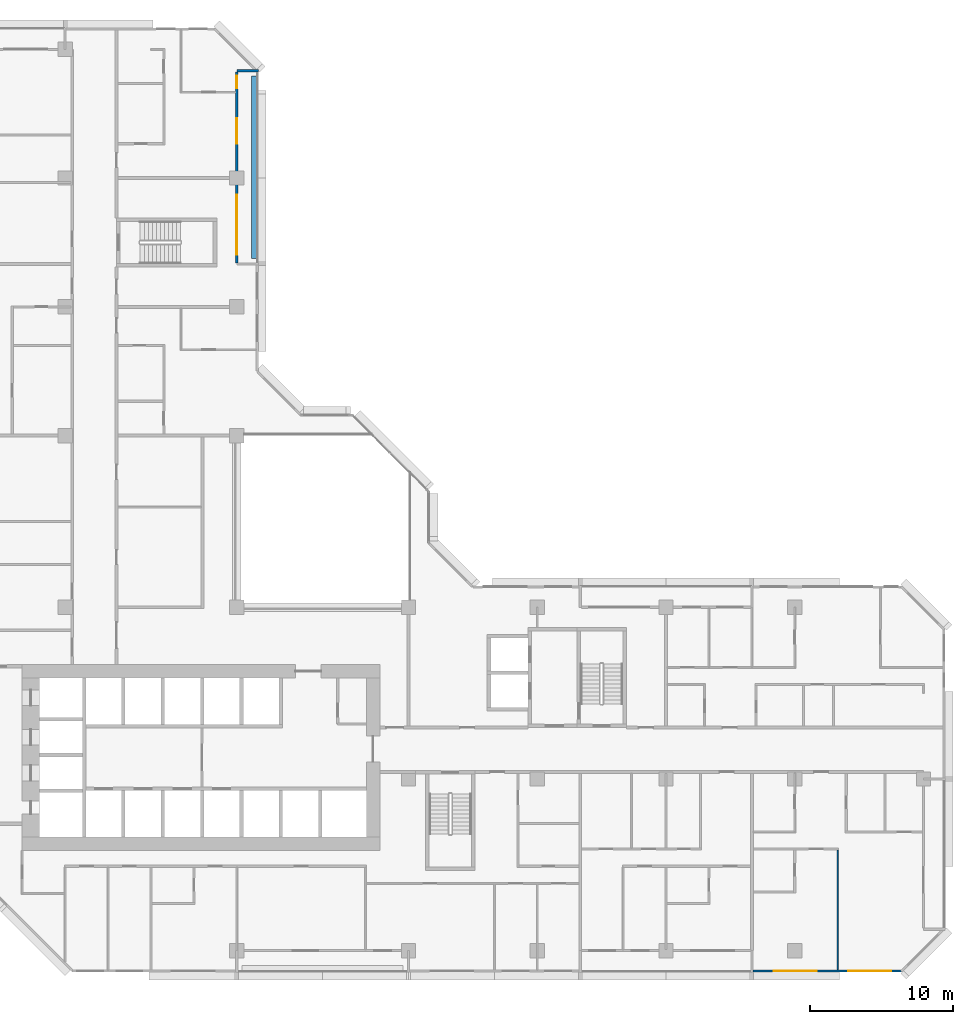
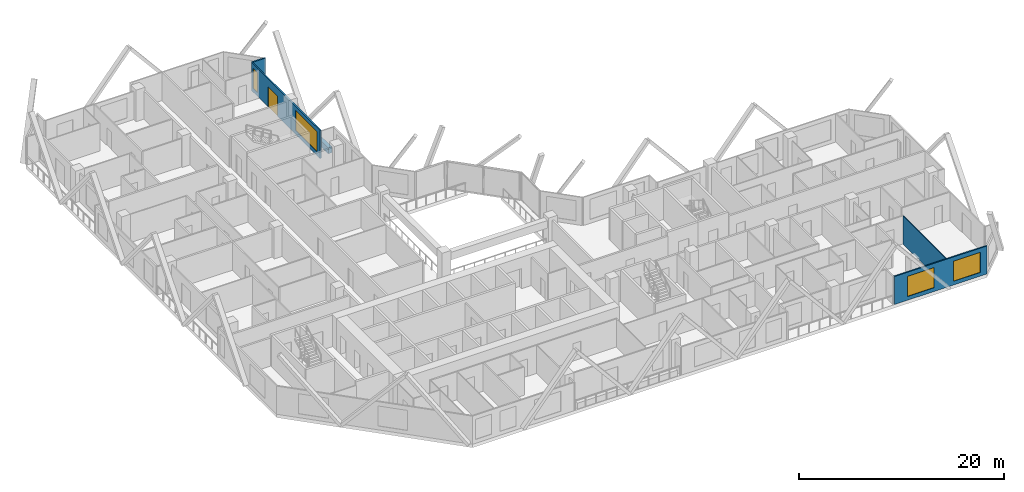
# One storey, part 11 of 15: 5 walls, 4 windows, 1 door, 5 openings.
"""IFC4 building model written with IfcOpenShell, lengths in metres."""

import ifcopenshell
import ifcopenshell.guid

model = None  # the IFC model being written
_history = None  # IfcOwnerHistory: only IFC2X3 demands one
_inside = {}  # id of a spatial element -> (the spatial element, [elements in it])
_under = {}  # id of a project, library or spatial element -> (it, [spatial elements below it])
_declared = {}  # id of a project -> (the project, [libraries it declares])
_typed = {}  # id of a type object -> (the type object, [elements of that type])
_made_of = {}  # id of a material, layer set ... -> (it, [elements and type objects made of it])


def new_model(schema):
    """Start an empty IFC model of exactly this schema.

    Asked for "IFC4X3", IfcOpenShell would pick the latest addendum, in which some entities
    have other attributes; the version numbers below select the first issue.
    IFC2X3 requires an IfcOwnerHistory on every rooted entity: one is made here for all.
    """
    global model, _history
    if schema == "IFC4X3":
        model = ifcopenshell.file(schema_version=(4, 3, 0, 0))
    else:
        model = ifcopenshell.file(schema=schema)
    _inside.clear()
    _under.clear()
    _declared.clear()
    _typed.clear()
    _made_of.clear()
    _history = None
    if model.schema == "IFC2X3":
        org = make("IfcOrganization", Name="unknown")
        user = make(
            "IfcPersonAndOrganization",
            ThePerson=make("IfcPerson", FamilyName="unknown"),
            TheOrganization=org,
        )
        app = make(
            "IfcApplication",
            ApplicationDeveloper=org,
            Version="unknown",
            ApplicationFullName="unknown",
            ApplicationIdentifier="unknown",
        )
        _history = make(
            "IfcOwnerHistory",
            OwningUser=user,
            OwningApplication=app,
            ChangeAction="ADDED",
            CreationDate=0,
        )
    return model


def make(cls, **values):
    """One entity of the class cls with the attributes given. An attribute that is None is left unset."""
    return model.create_entity(
        cls, **{name: value for name, value in values.items() if value is not None}
    )


def rooted(cls, **values):
    """An entity with a GlobalId (a new one), such as an element, a storey or a relation."""
    return make(cls, GlobalId=ifcopenshell.guid.new(), OwnerHistory=_history, **values)


def si_unit(unit_type, name, prefix=None):
    """IfcSIUnit, for example si_unit("LENGTHUNIT", "METRE", prefix="MILLI")."""
    return make("IfcSIUnit", UnitType=unit_type, Prefix=prefix, Name=name)


def assignment(units):
    """IfcUnitAssignment: the units of a project."""
    return None if units is None else make("IfcUnitAssignment", Units=units)


def point(xyz):
    """IfcCartesianPoint."""
    return None if xyz is None else make("IfcCartesianPoint", Coordinates=xyz)


def direction(xyz):
    """IfcDirection."""
    return None if xyz is None else make("IfcDirection", DirectionRatios=xyz)


def frame(location, z_axis=None, x_axis=None):
    """IfcAxis2Placement3D, a coordinate frame: its origin and axes. An axis left out is left unset."""
    return make(
        "IfcAxis2Placement3D",
        Location=point(location),
        Axis=direction(z_axis),
        RefDirection=direction(x_axis),
    )


def frame_2d(location, x_axis=None):
    """IfcAxis2Placement2D, a coordinate frame in the plane: its origin and x axis."""
    return make(
        "IfcAxis2Placement2D", Location=point(location), RefDirection=direction(x_axis)
    )


def origin():
    """The frame at (0, 0, 0) with its axes left unset."""
    return frame((0.0, 0.0, 0.0))


def place(relative_to, where):
    """IfcLocalPlacement: puts the frame where relative to a parent placement (None: the world)."""
    return make(
        "IfcLocalPlacement", PlacementRelTo=relative_to, RelativePlacement=where
    )


def context(
    kind, dimensions, precision=None, world=None, true_north=None, identifier=None
):
    """IfcGeometricRepresentationContext, for example the 3D "Model" context."""
    return make(
        "IfcGeometricRepresentationContext",
        ContextIdentifier=identifier,
        ContextType=kind,
        CoordinateSpaceDimension=dimensions,
        Precision=precision,
        WorldCoordinateSystem=world,
        TrueNorth=true_north,
    )


def subcontext(parent, identifier, kind, view, scale=None):
    """IfcGeometricRepresentationSubContext, for example "Body" below "Model"."""
    return make(
        "IfcGeometricRepresentationSubContext",
        ContextIdentifier=identifier,
        ContextType=kind,
        ParentContext=parent,
        TargetScale=scale,
        TargetView=view,
    )


def project(units=None, contexts=None):
    """IfcProject with its units and contexts."""
    return rooted(
        "IfcProject",
        Name="project",
        RepresentationContexts=contexts,
        UnitsInContext=assignment(units),
    )


def spatial(cls, under=None, at=None, **own):
    """A site, building, storey or space (cls), placed at a placement, below another one or the project."""
    s = rooted(cls, ObjectPlacement=at, **own)
    if under is not None:
        _under.setdefault(under.id(), (under, []))[1].append(s)
    return s


def profile(cls, at=None, kind="AREA", **sizes):
    """A parametric profile (cls). Its sizes go by their IFC names, for example OverallWidth=200.0."""
    return make(cls, ProfileType=kind, Position=at, **sizes)


def rectangle(**sizes):
    """IfcRectangleProfileDef."""
    return profile("IfcRectangleProfileDef", **sizes)


def extrude(swept, where, along, depth):
    """IfcExtrudedAreaSolid: the profile swept, set in the frame where, extruded along a direction by depth."""
    return make(
        "IfcExtrudedAreaSolid",
        SweptArea=swept,
        Position=where,
        ExtrudedDirection=direction(along),
        Depth=depth,
    )


def shape(context_of_items, identifier, shape_type, items):
    """IfcShapeRepresentation: the items that make up one representation, for example the "Body"."""
    return make(
        "IfcShapeRepresentation",
        ContextOfItems=context_of_items,
        RepresentationIdentifier=identifier,
        RepresentationType=shape_type,
        Items=items,
    )


def material(Name=None, Category=None):
    """IfcMaterial."""
    return make("IfcMaterial", Name=Name, Category=Category)


def layer(
    of_material, thickness, ventilated=None, Name=None, Category=None, Priority=None
):
    """IfcMaterialLayer: one layer of a wall or slab, of a material (None: an air gap)."""
    return make(
        "IfcMaterialLayer",
        Material=of_material,
        LayerThickness=thickness,
        IsVentilated=ventilated,
        Name=Name,
        Category=Category,
        Priority=Priority,
    )


def layer_set(layers, Name=None):
    """IfcMaterialLayerSet."""
    return make("IfcMaterialLayerSet", MaterialLayers=layers, LayerSetName=Name)


def made_of(thing, what):
    """Note that an element or type object is made of a material, layer set ...; save() writes the relation."""
    if what is not None:
        _made_of.setdefault(what.id(), (what, []))[1].append(thing)
    return thing


def type_object(cls, material=None, **own):
    """A type object (cls), such as IfcWallType, which elements share."""
    return made_of(rooted(cls, **own), material)


def element(
    cls,
    number,
    at=None,
    inside=None,
    cuts=None,
    type_object=None,
    material=None,
    context=None,
    identifier="Body",
    shape_type=None,
    held_by="IfcProductDefinitionShape",
    body=None,
    shapes=None,
    **own,
):
    """One element of the class cls, such as IfcWall. Its Tag is "e" and its number.

    at: its placement. inside: the storey or other place that contains it. cuts: it is an
    opening in that element (IfcRelVoidsElement). A single representation is given by context,
    identifier, shape_type and body (its items); several are given by shapes. held_by: the class
    of the entity that holds the representations. save() writes the other relations.
    """
    e = rooted(cls, Tag="e%d" % number, ObjectPlacement=at, **own)
    if body is not None:
        shapes = [shape(context, identifier, shape_type, body)]
    if shapes is not None:
        e.Representation = make(held_by, Representations=shapes)
    if inside is not None:
        _inside.setdefault(inside.id(), (inside, []))[1].append(e)
    if cuts is not None:
        rooted(
            "IfcRelVoidsElement", RelatingBuildingElement=cuts, RelatedOpeningElement=e
        )
    if type_object is not None:
        _typed.setdefault(type_object.id(), (type_object, []))[1].append(e)
    return made_of(e, material)


def fill(opening, filler):
    """IfcRelFillsElement: the door or window that sits in an opening."""
    return rooted(
        "IfcRelFillsElement",
        RelatingOpeningElement=opening,
        RelatedBuildingElement=filler,
    )


def aggregate(whole, parts):
    """IfcRelAggregates: a whole, such as a stair, and the parts it consists of."""
    return rooted("IfcRelAggregates", RelatingObject=whole, RelatedObjects=parts)


def save(model, path):
    """Write the relations noted so far, then the file.

    IfcRelAggregates (storeys below a building ...), IfcRelContainedInSpatialStructure (elements
    in a storey), IfcRelDefinesByType, IfcRelAssociatesMaterial and IfcRelDeclares: one each for
    every whole, place, type object, material and project.
    """
    for whole, parts in _under.values():
        aggregate(whole, parts)
    for where, things in _inside.values():
        rooted(
            "IfcRelContainedInSpatialStructure",
            RelatedElements=things,
            RelatingStructure=where,
        )
    for kind, things in _typed.values():
        rooted("IfcRelDefinesByType", RelatedObjects=things, RelatingType=kind)
    for what, things in _made_of.values():
        rooted("IfcRelAssociatesMaterial", RelatedObjects=things, RelatingMaterial=what)
    for by, libraries in _declared.values():
        rooted("IfcRelDeclares", RelatingContext=by, RelatedDefinitions=libraries)
    model.write(path)


model = new_model("IFC4")

# Units and contexts
model_context = context("Model", 3, precision=1e-05, world=origin(), true_north=direction((0.0, 1.0)))
body_context = subcontext(model_context, "Body", "Model", "MODEL_VIEW")
ifc_project = project(units=[si_unit("LENGTHUNIT", "METRE"), si_unit("AREAUNIT", "SQUARE_METRE"), si_unit("VOLUMEUNIT", "CUBIC_METRE"), si_unit("PLANEANGLEUNIT", "RADIAN"), si_unit("MASSUNIT", "GRAM", prefix="KILO")], contexts=[model_context])

# Site, building, storey
site_placement = place(None, origin())
site = spatial("IfcSite", under=ifc_project, at=site_placement, CompositionType="ELEMENT")
building_placement = place(site_placement, origin())
building = spatial("IfcBuilding", under=site, at=building_placement, Name="Chenar Terraces", CompositionType="ELEMENT")
storey_placement = place(building_placement, frame((0.0, 0.0, 106.89990234375)))
storey = spatial("IfcBuildingStorey", under=building, at=storey_placement, Name="L24", CompositionType="ELEMENT", Elevation=106.89990234375)

# Wall, openings, windows
ifc_material_1 = material(Name="Aluminium framed glazing", Category="aluminium")
ifc_layer_1 = layer(ifc_material_1, 0.14990234375)
ifc_layer_set_1 = layer_set([ifc_layer_1], Name="Aluminium framed glazing")
wall_type_1 = type_object("IfcWallType", Name="Glazed flush facade wall 150", PredefinedType="SOLIDWALL", material=ifc_layer_set_1)
wall_1_placement = place(storey_placement, frame((60.074951171875, -1.425048828125, 0.0), z_axis=(0.0, 0.0, 1.0), x_axis=(1.0, 0.0, 0.0)))
wall_1 = element("IfcWall", 1, at=wall_1_placement, inside=storey, type_object=wall_type_1, Name="Glazed flush facade wall", PredefinedType="SOLIDWALL", context=body_context, shape_type="SweptSolid", body=[
    extrude(rectangle(XDim=10.425048828125, YDim=0.14990234375, at=frame_2d((5.21240234375, 0.0))), origin(), (0.0, 0.0, 1.0), 3.35009765625),
])
opening_1_placement = place(wall_1_placement, frame((1.46240234375, 0.0, 0.449951171875)))
opening_1 = element("IfcOpeningElement", 2, at=opening_1_placement, cuts=wall_1, Name="Opening W300x240", PredefinedType="OPENING", context=body_context, shape_type="SweptSolid", body=[
    extrude(rectangle(XDim=3.0, YDim=2.39990234375, at=frame_2d((1.5, 1.199951171875))), frame((0.0, 0.0849609375, 0.0), z_axis=(0.0, -1.0, 0.0), x_axis=(1.0, 0.0, 0.0)), (0.0, 0.0, 1.0), 0.169921875),
])
opening_2_placement = place(wall_1_placement, frame((6.675048828125, 0.0, 0.449951171875)))
opening_2 = element("IfcOpeningElement", 3, at=opening_2_placement, cuts=wall_1, Name="Opening W300x240", PredefinedType="OPENING", context=body_context, shape_type="SweptSolid", body=[
    extrude(rectangle(XDim=3.0, YDim=2.39990234375, at=frame_2d((1.5, 1.199951171875))), frame((0.0, 0.0849609375, 0.0), z_axis=(0.0, -1.0, 0.0), x_axis=(1.0, 0.0, 0.0)), (0.0, 0.0, 1.0), 0.169921875),
])
ifc_material_2 = material(Name="Low emissivity double glazing, aluminium frame", Category="aluminium")
window_type_1 = type_object("IfcWindowType", Name="Fixed light 3000 x 2400", PartitioningType="SINGLE_PANEL", PredefinedType="WINDOW", material=ifc_material_2)
window_1_placement = place(opening_1_placement, origin())
window_1 = element("IfcWindow", 4, at=window_1_placement, inside=storey, type_object=window_type_1, Name="Window", OverallHeight=2.39990234375, OverallWidth=3.0, PartitioningType="SINGLE_PANEL", PredefinedType="WINDOW", context=body_context, shape_type="SweptSolid", body=[
    extrude(rectangle(XDim=3.0, YDim=2.39990234375, at=frame_2d((1.5, 1.199951171875))), frame((0.0, 0.030029296875, 0.0), z_axis=(0.0, -1.0, 0.0), x_axis=(1.0, 0.0, 0.0)), (0.0, 0.0, 1.0), 0.06005859375),
])
fill(opening_1, window_1)
window_2_placement = place(opening_2_placement, origin())
window_2 = element("IfcWindow", 5, at=window_2_placement, inside=storey, type_object=window_type_1, Name="Window", OverallHeight=2.39990234375, OverallWidth=3.0, PartitioningType="SINGLE_PANEL", PredefinedType="WINDOW", context=body_context, shape_type="SweptSolid", body=[
    extrude(rectangle(XDim=3.0, YDim=2.39990234375, at=frame_2d((1.5, 1.199951171875))), frame((0.0, 0.030029296875, 0.0), z_axis=(0.0, -1.0, 0.0), x_axis=(1.0, 0.0, 0.0)), (0.0, 0.0, 1.0), 0.06005859375),
])
fill(opening_2, window_2)

# Wall, openings, windows, door
ifc_material_3 = material(Name="Aluminium framed glazing", Category="aluminium")
ifc_layer_2 = layer(ifc_material_3, 0.14990234375)
ifc_layer_set_2 = layer_set([ifc_layer_2], Name="Aluminium framed glazing")
wall_type_2 = type_object("IfcWallType", Name="Glazed loggia back wall 150", PredefinedType="SOLIDWALL", material=ifc_layer_set_2)
wall_2_placement = place(storey_placement, frame((24.0, 48.074951171875, 0.0), z_axis=(0.0, 0.0, 1.0), x_axis=(0.0, 1.0, 0.0)))
wall_2 = element("IfcWall", 6, at=wall_2_placement, inside=storey, type_object=wall_type_2, Name="Glazed loggia back wall", PredefinedType="SOLIDWALL", context=body_context, shape_type="SweptSolid", body=[
    extrude(rectangle(XDim=13.35009765625, YDim=0.14990234375, at=frame_2d((6.675048828125, 0.0))), origin(), (0.0, 0.0, 1.0), 3.35009765625),
])
opening_3_placement = place(wall_2_placement, frame((0.5625, 0.0, 0.449951171875)))
opening_3 = element("IfcOpeningElement", 7, at=opening_3_placement, cuts=wall_2, Name="Opening W420x240", PredefinedType="OPENING", context=body_context, shape_type="SweptSolid", body=[
    extrude(rectangle(XDim=4.199951171875, YDim=2.39990234375, at=frame_2d((2.10009765625, 1.199951171875))), frame((0.0, 0.0849609375, 0.0), z_axis=(0.0, -1.0, 0.0), x_axis=(1.0, 0.0, 0.0)), (0.0, 0.0, 1.0), 0.169921875),
])
opening_4_placement = place(wall_2_placement, frame((8.324951171875, 0.0, 0.0)))
opening_4 = element("IfcOpeningElement", 8, at=opening_4_placement, cuts=wall_2, Name="Opening DL24-G2", PredefinedType="OPENING", context=body_context, shape_type="SweptSolid", body=[
    extrude(rectangle(XDim=1.800048828125, YDim=2.39990234375, at=frame_2d((0.89990234375, 1.199951171875))), frame((0.0, 0.0849609375, 0.0), z_axis=(0.0, -1.0, 0.0), x_axis=(1.0, 0.0, 0.0)), (0.0, 0.0, 1.0), 0.169921875),
])
opening_5_placement = place(wall_2_placement, frame((12.1875, 0.0, 0.449951171875)))
opening_5 = element("IfcOpeningElement", 9, at=opening_5_placement, cuts=wall_2, Name="Opening W90x240", PredefinedType="OPENING", context=body_context, shape_type="SweptSolid", body=[
    extrude(rectangle(XDim=0.89990234375, YDim=2.39990234375, at=frame_2d((0.449951171875, 1.199951171875))), frame((0.0, 0.0849609375, 0.0), z_axis=(0.0, -1.0, 0.0), x_axis=(1.0, 0.0, 0.0)), (0.0, 0.0, 1.0), 0.169921875),
])
ifc_material_4 = material(Name="Low emissivity double glazing, aluminium frame", Category="aluminium")
window_type_2 = type_object("IfcWindowType", Name="Fixed light 4200 x 2400", PartitioningType="SINGLE_PANEL", PredefinedType="WINDOW", material=ifc_material_4)
window_3_placement = place(opening_3_placement, origin())
window_3 = element("IfcWindow", 10, at=window_3_placement, inside=storey, type_object=window_type_2, Name="Window", OverallHeight=2.39990234375, OverallWidth=4.199951171875, PartitioningType="SINGLE_PANEL", PredefinedType="WINDOW", context=body_context, shape_type="SweptSolid", body=[
    extrude(rectangle(XDim=4.199951171875, YDim=2.39990234375, at=frame_2d((2.10009765625, 1.199951171875))), frame((0.0, 0.030029296875, 0.0), z_axis=(0.0, -1.0, 0.0), x_axis=(1.0, 0.0, 0.0)), (0.0, 0.0, 1.0), 0.06005859375),
])
fill(opening_3, window_3)
ifc_material_5 = material(Name="Low emissivity double glazing, aluminium frame", Category="aluminium")
window_type_3 = type_object("IfcWindowType", Name="Fixed light 900 x 2400", PartitioningType="SINGLE_PANEL", PredefinedType="WINDOW", material=ifc_material_5)
window_4_placement = place(opening_5_placement, origin())
window_4 = element("IfcWindow", 11, at=window_4_placement, inside=storey, type_object=window_type_3, Name="Window", OverallHeight=2.39990234375, OverallWidth=0.89990234375, PartitioningType="SINGLE_PANEL", PredefinedType="WINDOW", context=body_context, shape_type="SweptSolid", body=[
    extrude(rectangle(XDim=0.89990234375, YDim=2.39990234375, at=frame_2d((0.449951171875, 1.199951171875))), frame((0.0, 0.030029296875, 0.0), z_axis=(0.0, -1.0, 0.0), x_axis=(1.0, 0.0, 0.0)), (0.0, 0.0, 1.0), 0.06005859375),
])
fill(opening_5, window_4)
ifc_material_6 = material(Name="Low emissivity double glazing, aluminium frame", Category="aluminium")
door_type = type_object("IfcDoorType", Name="Loggia glazed double door 1800 x 2400", OperationType="DOUBLE_DOOR_SINGLE_SWING", PredefinedType="DOOR", material=ifc_material_6)
door_placement = place(opening_4_placement, frame((1.800048828125, 0.0, 0.0), z_axis=(0.0, 0.0, 1.0), x_axis=(-1.0, 0.0, 0.0)))
door = element("IfcDoor", 12, at=door_placement, inside=storey, type_object=door_type, Name="Loggia glazed door", OperationType="DOUBLE_DOOR_SINGLE_SWING", OverallHeight=2.39990234375, OverallWidth=1.800048828125, PredefinedType="DOOR", context=body_context, shape_type="SweptSolid", body=[
    extrude(rectangle(XDim=1.800048828125, YDim=2.39990234375, at=frame_2d((0.89990234375, 1.199951171875))), frame((0.0, 0.02490234375, 0.0), z_axis=(0.0, -1.0, 0.0), x_axis=(1.0, 0.0, 0.0)), (0.0, 0.0, 1.0), 0.050048828125),
])
fill(opening_4, door)

# Walls
ifc_material_7 = material(Name="Gypsum board on steel studs", Category="steel")
ifc_layer_3 = layer(ifc_material_7, 0.10009765625)
ifc_layer_set_3 = layer_set([ifc_layer_3], Name="Gypsum board on steel studs")
wall_type_3 = type_object("IfcWallType", Name="Gypsum partition 100", PredefinedType="PARTITIONING", material=ifc_layer_set_3)
wall_3_placement = place(storey_placement, frame((66.0, -1.35009765625, 0.0), z_axis=(0.0, 0.0, 1.0), x_axis=(0.0, 1.0, 0.0)))
element("IfcWall", 13, at=wall_3_placement, inside=storey, type_object=wall_type_3, Name="Partition L24-099", PredefinedType="PARTITIONING", context=body_context, shape_type="SweptSolid", body=[
    extrude(rectangle(XDim=8.375, YDim=0.10009765625, at=frame_2d((4.1875, 0.0))), origin(), (0.0, 0.0, 1.0), 3.35009765625),
])
ifc_material_8 = material(Name="Terracotta cladding on insulated backing", Category="masonry")
ifc_layer_4 = layer(ifc_material_8, 0.14990234375)
ifc_layer_set_4 = layer_set([ifc_layer_4], Name="Terracotta cladding on insulated backing")
wall_type_4 = type_object("IfcWallType", Name="Loggia return wall 150", PredefinedType="SOLIDWALL", material=ifc_layer_set_4)
wall_4_placement = place(storey_placement, frame((25.5, 61.5, 0.0), z_axis=(0.0, 0.0, 1.0), x_axis=(-1.0, 0.0, 0.0)))
element("IfcWall", 14, at=wall_4_placement, inside=storey, type_object=wall_type_4, Name="Loggia return wall", PredefinedType="SOLIDWALL", context=body_context, shape_type="SweptSolid", body=[
    extrude(rectangle(XDim=1.5, YDim=0.14990234375, at=frame_2d((0.75, 0.0))), origin(), (0.0, 0.0, 1.0), 3.35009765625),
])
ifc_material_9 = material(Name="GRP planter trough")
ifc_layer_5 = layer(ifc_material_9, 0.39990234375)
ifc_layer_set_5 = layer_set([ifc_layer_5], Name="GRP planter trough")
wall_type_5 = type_object("IfcWallType", Name="Vertical greenery planter 400", PredefinedType="SOLIDWALL", material=ifc_layer_set_5)
wall_5_placement = place(storey_placement, frame((25.22900390625, 48.375, 0.0), z_axis=(0.0, 0.0, 1.0), x_axis=(0.0, 1.0, 0.0)))
element("IfcWall", 15, at=wall_5_placement, inside=storey, type_object=wall_type_5, Name="Vertical greenery planter", PredefinedType="SOLIDWALL", context=body_context, shape_type="SweptSolid", body=[
    extrude(rectangle(XDim=12.75, YDim=0.39990234375, at=frame_2d((6.375, 0.0))), origin(), (0.0, 0.0, 1.0), 0.7001953125),
])

save(model, "model.ifc")
